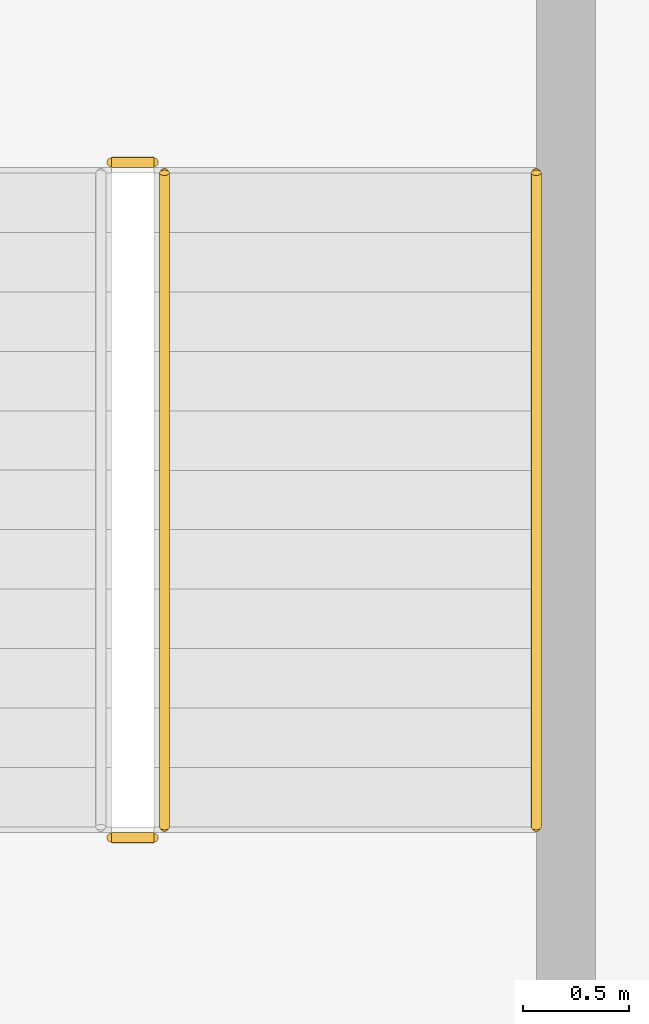
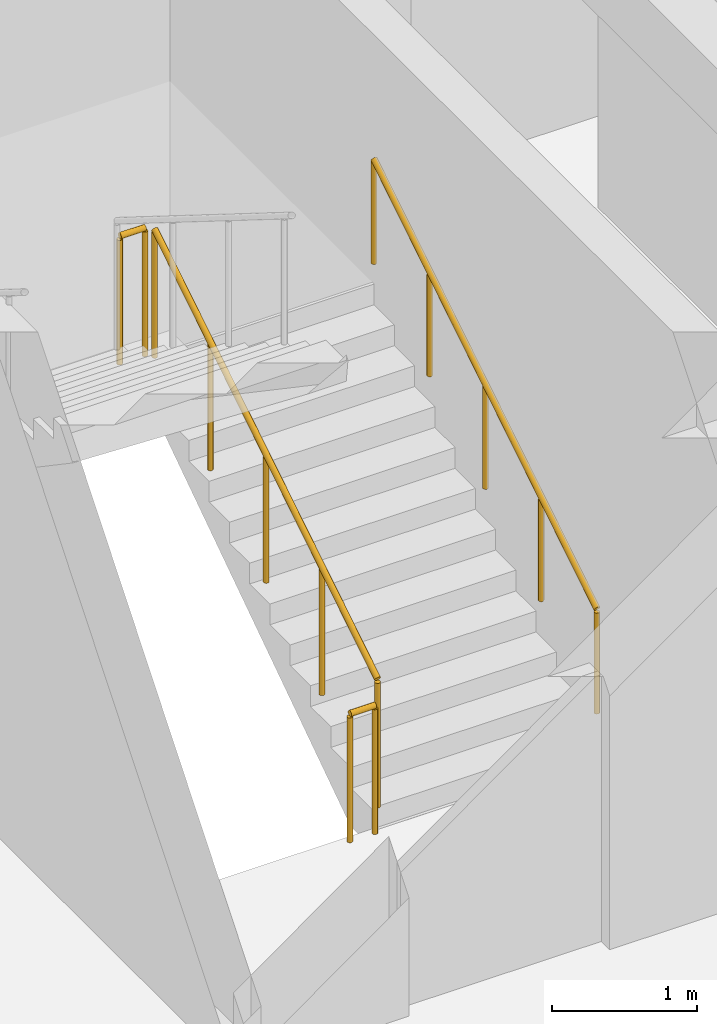
# One storey, part 26 of 28: 4 railings.
"""IFC4 building model written with IfcOpenShell, lengths in metres."""

from ifc_helpers import new_model, si_unit, direction, frame, origin, origin_2d, place, context, subcontext, project, spatial, circle, extrude, material, type_object, element, save


model = new_model("IFC4")

# Units and contexts
model_context = context("Model", 3, precision=1e-05, world=origin(), true_north=direction((0.0, 1.0)))
body_context = subcontext(model_context, "Body", "Model", "MODEL_VIEW")
ifc_project = project(units=[si_unit("LENGTHUNIT", "METRE"), si_unit("AREAUNIT", "SQUARE_METRE"), si_unit("VOLUMEUNIT", "CUBIC_METRE"), si_unit("PLANEANGLEUNIT", "RADIAN"), si_unit("MASSUNIT", "GRAM", prefix="KILO")], contexts=[model_context])

# Site, building, storey
site_placement = place(None, origin())
site = spatial("IfcSite", under=ifc_project, at=site_placement, CompositionType="ELEMENT")
building_placement = place(site_placement, origin())
building = spatial("IfcBuilding", under=site, at=building_placement, Name="Varncliffe General Hospital", CompositionType="ELEMENT")
storey_placement = place(building_placement, frame((0.0, 0.0, 24.60009765625)))
storey = spatial("IfcBuildingStorey", under=building, at=storey_placement, Name="L05", CompositionType="ELEMENT", Elevation=24.60009765625)

# Railings
ifc_material = material(Name="Powder-coated hospital steel guardrail and handrail", Category="steel")
railing_type_1 = type_object("IfcRailingType", Name="Stair and Ramp Handrail HR46", PredefinedType="HANDRAIL", material=ifc_material)
railing_1_placement = place(storey_placement, frame((123.949951171875, 118.0, 0.35400390625)))
element("IfcRailing", 1, at=railing_1_placement, inside=storey, type_object=railing_type_1, Name="L05 ST03 stair handrail 1", PredefinedType="HANDRAIL", context=body_context, shape_type="SweptSolid", body=[
    extrude(circle(Radius=0.02392578125, at=origin_2d()), frame((0.0, 0.0, 0.8759765625), z_axis=(0.0, 0.848028513186, 0.529950602248), x_axis=(-1.0, 0.0, 0.0)), (0.0, 0.0, 1.0), 3.632080078125),
    extrude(circle(Radius=0.02099609375, at=origin_2d()), origin(), (0.0, 0.0, 1.0), 0.851806640625),
    extrude(circle(Radius=0.02099609375, at=origin_2d()), frame((0.0, 0.77001953125, 0.481201171875)), (0.0, 0.0, 1.0), 0.851806640625),
    extrude(circle(Radius=0.02099609375, at=origin_2d()), frame((0.0, 1.5400390625, 0.96240234375)), (0.0, 0.0, 1.0), 0.851806640625),
    extrude(circle(Radius=0.02099609375, at=origin_2d()), frame((0.0, 2.31005859375, 1.443603515625)), (0.0, 0.0, 1.0), 0.851806640625),
    extrude(circle(Radius=0.02099609375, at=origin_2d()), frame((0.0, 3.080078125, 1.9248046875)), (0.0, 0.0, 1.0), 0.851806640625),
])
railing_type_2 = type_object("IfcRailingType", Name="Stairwell Guardrail SG49", PredefinedType="GUARDRAIL", material=ifc_material)
railing_2_placement = place(storey_placement, frame((122.199951171875, 118.0, 0.1748046875)))
element("IfcRailing", 2, at=railing_2_placement, inside=storey, type_object=railing_type_2, Name="L05 ST03 stair guard 1", PredefinedType="GUARDRAIL", context=body_context, shape_type="SweptSolid", body=[
    extrude(circle(Radius=0.02392578125, at=origin_2d()), frame((0.0, 0.0, 1.076171875), z_axis=(0.0, 0.847998304005, 0.529998940003), x_axis=(-1.0, 0.0, 0.0)), (0.0, 0.0, 1.0), 3.632080078125),
    extrude(circle(Radius=0.02099609375, at=origin_2d()), origin(), (0.0, 0.0, 1.0), 1.052001953125),
    extrude(circle(Radius=0.02099609375, at=origin_2d()), frame((0.0, 0.77001953125, 0.481201171875)), (0.0, 0.0, 1.0), 1.052001953125),
    extrude(circle(Radius=0.02099609375, at=origin_2d()), frame((0.0, 1.5400390625, 0.96240234375)), (0.0, 0.0, 1.0), 1.052001953125),
    extrude(circle(Radius=0.02099609375, at=origin_2d()), frame((0.0, 2.31005859375, 1.44384765625)), (0.0, 0.0, 1.0), 1.052001953125),
    extrude(circle(Radius=0.02099609375, at=origin_2d()), frame((0.0, 3.080078125, 1.925048828125)), (0.0, 0.0, 1.0), 1.052001953125),
])
for number, where, name in (
    (3, (122.14990234375, 121.1298828125, 2.099853515625), "L05 ST03 stair guard 2"),
    (4, (122.14990234375, 117.949951171875, 0.0), "L05 ST03 stair guard 4"),
):
    element("IfcRailing", number, at=place(storey_placement, frame(where)), inside=storey, type_object=railing_type_2, Name=name, PredefinedType="GUARDRAIL", context=body_context, shape_type="SweptSolid", body=[
        extrude(circle(Radius=0.02392578125, at=origin_2d()), frame((0.0, 0.0, 1.076171875), z_axis=(-1.0, 0.0, 0.0), x_axis=(0.0, -1.0, 0.0)), (0.0, 0.0, 1.0), 0.199951171875),
        extrude(circle(Radius=0.02099609375, at=origin_2d()), origin(), (0.0, 0.0, 1.0), 1.052001953125),
        extrude(circle(Radius=0.02099609375, at=origin_2d()), frame((-0.199951171875, 0.0, 0.0)), (0.0, 0.0, 1.0), 1.052001953125),
    ])

save(model, "model.ifc")
